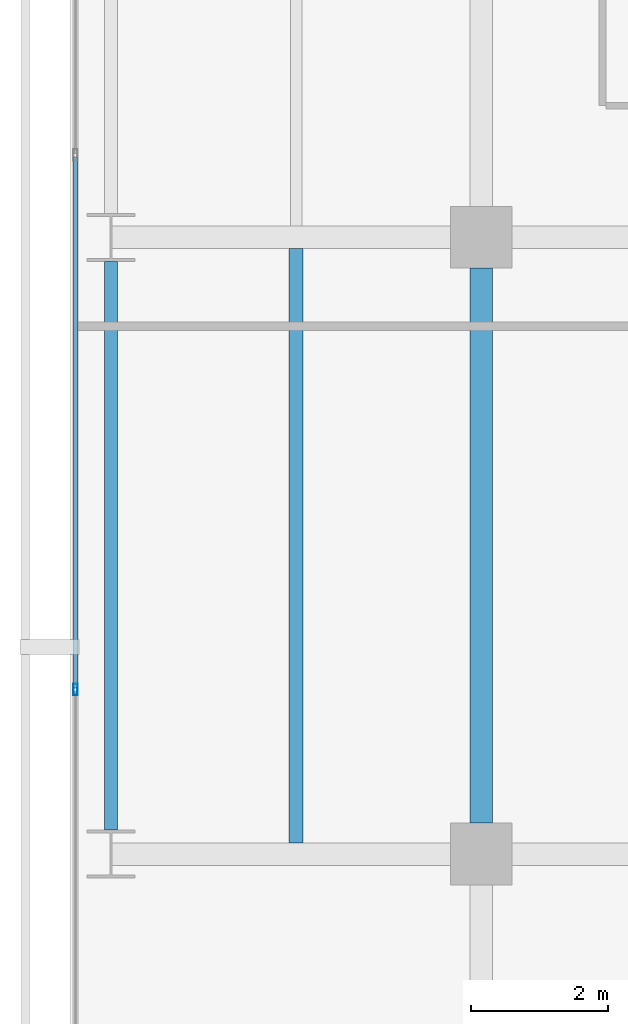
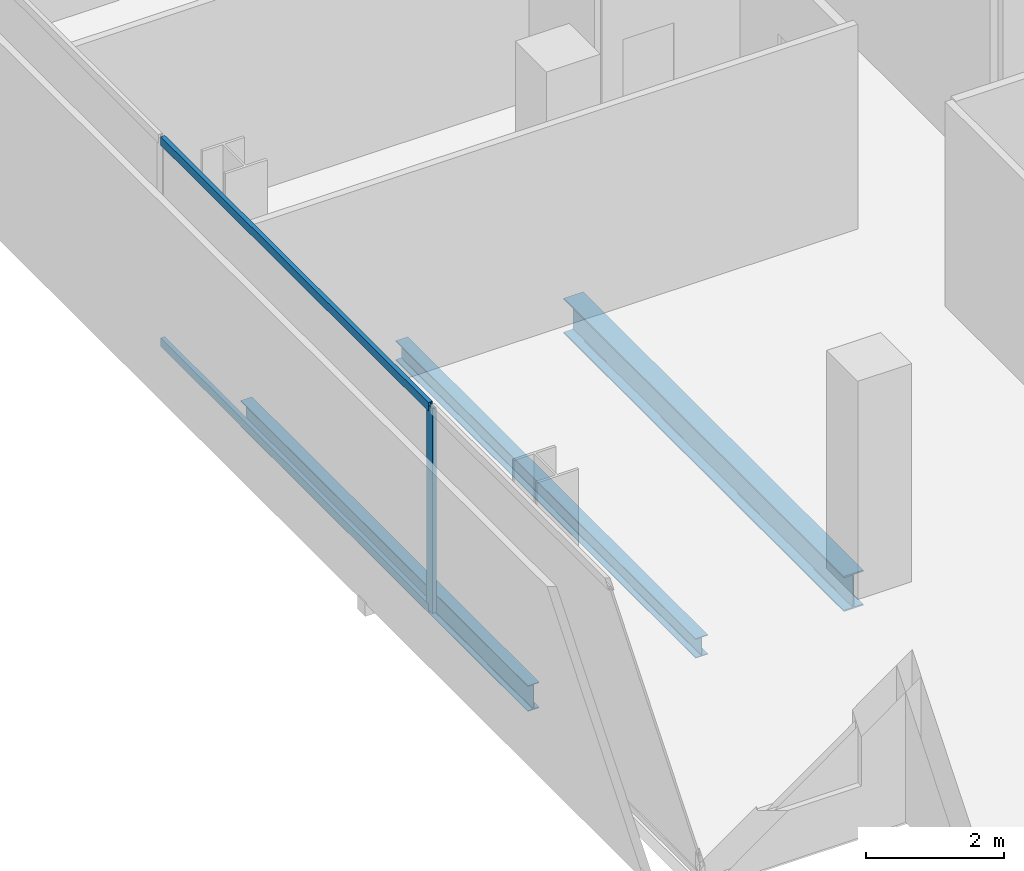
# One storey, part 5 of 39: 3 beams, 3 members, 1 element without a shape of its own.
"""IFC4 building model written with IfcOpenShell, lengths in metres."""

from ifc_helpers import new_model, si_unit, direction, frame, origin, origin_2d, place, context, subcontext, project, spatial, hollow_rectangle, i_section, extrude, material, layer, layer_set, material_profile, profile_set, type_object, element, aggregate, save


model = new_model("IFC4")

# Units and contexts
model_context = context("Model", 3, precision=1e-05, world=origin(), true_north=direction((0.0, 1.0)))
body_context = subcontext(model_context, "Body", "Model", "MODEL_VIEW")
ifc_project = project(units=[si_unit("LENGTHUNIT", "METRE"), si_unit("AREAUNIT", "SQUARE_METRE"), si_unit("VOLUMEUNIT", "CUBIC_METRE"), si_unit("PLANEANGLEUNIT", "RADIAN"), si_unit("MASSUNIT", "GRAM", prefix="KILO")], contexts=[model_context])

# Site, building, storey
site_placement = place(None, origin())
site = spatial("IfcSite", under=ifc_project, at=site_placement, CompositionType="ELEMENT")
building_placement = place(site_placement, origin())
building = spatial("IfcBuilding", under=site, at=building_placement, Name="Maruvema Waterfront Hotel and Observation Tower", CompositionType="ELEMENT")
storey_placement = place(building_placement, frame((0.0, 0.0, 46.199951171875)))
storey = spatial("IfcBuildingStorey", under=building, at=storey_placement, Name="L10", CompositionType="ELEMENT", Elevation=46.199951171875)

# Curtain wall, members
ifc_material_1 = material(Name="Anodised bronze aluminium and solar-control low-E IGU", Category="aluminium")
ifc_layer = layer(ifc_material_1, 0.159912109375, Name="Zone 1 Bronze Inner Thermal Curtain Wall System CW-02")
ifc_layer_set = layer_set([ifc_layer], Name="Anodised bronze aluminium and solar-control low-E IGU")
curtain_wall_type = type_object("IfcCurtainWallType", Name="Zone 1 Bronze Inner Thermal Curtain Wall System CW-02", PredefinedType="USERDEFINED", material=ifc_layer_set)
curtain_wall_placement = place(storey_placement, origin())
curtain_wall = element("IfcCurtainWall", 1, at=curtain_wall_placement, inside=storey, type_object=curtain_wall_type, Name="L10 Curtain Wall CW-L10-W", ObjectType="UNITISED CURTAIN WALL", PredefinedType="USERDEFINED")
ifc_material_2 = material(Name="Anodised architectural bronze aluminium", Category="aluminium")
ifc_material_profile_1 = material_profile(ifc_material_2, hollow_rectangle(XDim=0.070068359375, YDim=0.14990234375, WallThickness=0.00390625, at=origin_2d()), Name="ALU-T70x150")
ifc_profile_set_1 = profile_set([ifc_material_profile_1], Name="Anodised architectural bronze aluminium")
member_type_1 = type_object("IfcMemberType", Name="Curtain Wall Horizontal Transom ALU-T70x150", PredefinedType="USERDEFINED", material=ifc_profile_set_1)
member_1_placement = place(storey_placement, frame((10.8798828125, 19.169921875, 0.030029296875), z_axis=(0.0, -1.0, 0.0), x_axis=(1.0, 0.0, 0.0)))
member_1 = element("IfcMember", 2, at=member_1_placement, type_object=member_type_1, Name="CW-02 transom 5.1", ObjectType="TRANSOM", PredefinedType="USERDEFINED", context=body_context, shape_type="SweptSolid", body=[
    extrude(hollow_rectangle(XDim=0.070068359375, YDim=0.14990234375, WallThickness=0.00390625, at=origin_2d()), origin(), (0.0, 0.0, 1.0), 7.739990234375),
])
member_2_placement = place(storey_placement, frame((10.8798828125, 19.169921875, 3.580078125), z_axis=(0.0, -1.0, 0.0), x_axis=(1.0, 0.0, 0.0)))
member_2 = element("IfcMember", 3, at=member_2_placement, type_object=member_type_1, Name="CW-02 transom 5.2", ObjectType="TRANSOM", PredefinedType="USERDEFINED", context=body_context, shape_type="SweptSolid", body=[
    extrude(hollow_rectangle(XDim=0.070068359375, YDim=0.14990234375, WallThickness=0.00390625, at=origin_2d()), origin(), (0.0, 0.0, 1.0), 7.739990234375),
])
ifc_material_3 = material(Name="Anodised architectural bronze aluminium", Category="aluminium")
ifc_material_profile_2 = material_profile(ifc_material_3, hollow_rectangle(XDim=0.06494140625, YDim=0.1650390625, WallThickness=0.00390625, at=origin_2d()), Name="ALU-M65x165")
ifc_profile_set_2 = profile_set([ifc_material_profile_2], Name="Anodised architectural bronze aluminium")
member_type_2 = type_object("IfcMemberType", Name="Curtain Wall Primary Mullion ALU-M65x165", PredefinedType="MULLION", material=ifc_profile_set_2)
member_3_placement = place(storey_placement, frame((10.8798828125, 11.39990234375, 0.0), z_axis=(0.0, 0.0, 1.0), x_axis=(1.0, 0.0, 0.0)))
member_3 = element("IfcMember", 4, at=member_3_placement, type_object=member_type_2, Name="CW-02 mullion 6", PredefinedType="MULLION", context=body_context, shape_type="SweptSolid", body=[
    extrude(hollow_rectangle(XDim=0.06494140625, YDim=0.1650390625, WallThickness=0.00390625, at=origin_2d()), origin(), (0.0, 0.0, 1.0), 3.610107421875),
])
aggregate(curtain_wall, [member_3, member_1, member_2])

# Beams
ifc_material_4 = material(Name="Steel ASTM A572 Grade 50", Category="steel")
ifc_material_profile_3 = material_profile(ifc_material_4, i_section(OverallWidth=0.18994140625, OverallDepth=0.45703125, WebThickness=0.009033203125, FlangeThickness=0.014404296875, FilletRadius=0.014892578125, at=origin_2d()), Name="W460x74.0")
ifc_profile_set_3 = profile_set([ifc_material_profile_3], Name="Steel ASTM A572 Grade 50")
beam_type_1 = type_object("IfcBeamType", Name="Perimeter Spandrel Beam W460x74.0", PredefinedType="SPANDREL", material=ifc_profile_set_3)
beam_1_placement = place(storey_placement, frame((11.39990234375, 9.35009765625, -0.468505859375), z_axis=(0.0, 1.0, 0.0), x_axis=(-1.0, 0.0, 0.0)))
element("IfcBeam", 5, at=beam_1_placement, inside=storey, type_object=beam_type_1, Name="L10 Floor Girder NS-01", PredefinedType="SPANDREL", context=body_context, shape_type="SweptSolid", body=[
    extrude(i_section(OverallWidth=0.18994140625, OverallDepth=0.45703125, WebThickness=0.009033203125, FlangeThickness=0.014404296875, FilletRadius=0.014892578125, at=origin_2d()), origin(), (0.0, 0.0, 1.0), 8.2998046875),
])
ifc_material_5 = material(Name="Steel ASTM A572 Grade 50", Category="steel")
ifc_material_profile_4 = material_profile(ifc_material_5, i_section(OverallWidth=0.326904296875, OverallDepth=0.6220703125, WebThickness=0.015380859375, FlangeThickness=0.0244140625, FilletRadius=0.01806640625, at=origin_2d()), Name="W610x195.0")
ifc_profile_set_4 = profile_set([ifc_material_profile_4], Name="Steel ASTM A572 Grade 50")
beam_type_2 = type_object("IfcBeamType", Name="Primary Floor Girder W610x195.0", PredefinedType="BEAM", material=ifc_profile_set_4)
beam_2_placement = place(storey_placement, frame((16.800048828125, 9.449951171875, -0.551025390625), z_axis=(0.0, 1.0, 0.0), x_axis=(-1.0, 0.0, 0.0)))
element("IfcBeam", 6, at=beam_2_placement, inside=storey, type_object=beam_type_2, Name="L10 Floor Girder NS-06", PredefinedType="BEAM", context=body_context, shape_type="SweptSolid", body=[
    extrude(i_section(OverallWidth=0.326904296875, OverallDepth=0.6220703125, WebThickness=0.015380859375, FlangeThickness=0.0244140625, FilletRadius=0.01806640625, at=origin_2d()), origin(), (0.0, 0.0, 1.0), 8.10009765625),
])
ifc_material_6 = material(Name="Steel ASTM A572 Grade 50", Category="steel")
ifc_material_profile_5 = material_profile(ifc_material_6, i_section(OverallWidth=0.202880859375, OverallDepth=0.346923828125, WebThickness=0.0078125, FlangeThickness=0.013427734375, FilletRadius=0.014892578125, at=origin_2d()), Name="W360x64.0")
ifc_profile_set_5 = profile_set([ifc_material_profile_5], Name="Steel ASTM A572 Grade 50")
beam_type_3 = type_object("IfcBeamType", Name="Secondary Floor Joist W360x64.0", PredefinedType="JOIST", material=ifc_profile_set_5)
beam_3_placement = place(storey_placement, frame((14.10009765625, 9.16357421875, -0.413330078125), z_axis=(0.0, 1.0, 0.0), x_axis=(-1.0, 0.0, 0.0)))
element("IfcBeam", 7, at=beam_3_placement, inside=storey, type_object=beam_type_3, Name="L10 Secondary Floor Joist JS-01", PredefinedType="JOIST", context=body_context, shape_type="SweptSolid", body=[
    extrude(i_section(OverallWidth=0.202880859375, OverallDepth=0.346923828125, WebThickness=0.0078125, FlangeThickness=0.013427734375, FilletRadius=0.014892578125, at=origin_2d()), origin(), (0.0, 0.0, 1.0), 8.6728515625),
])

save(model, "model.ifc")
